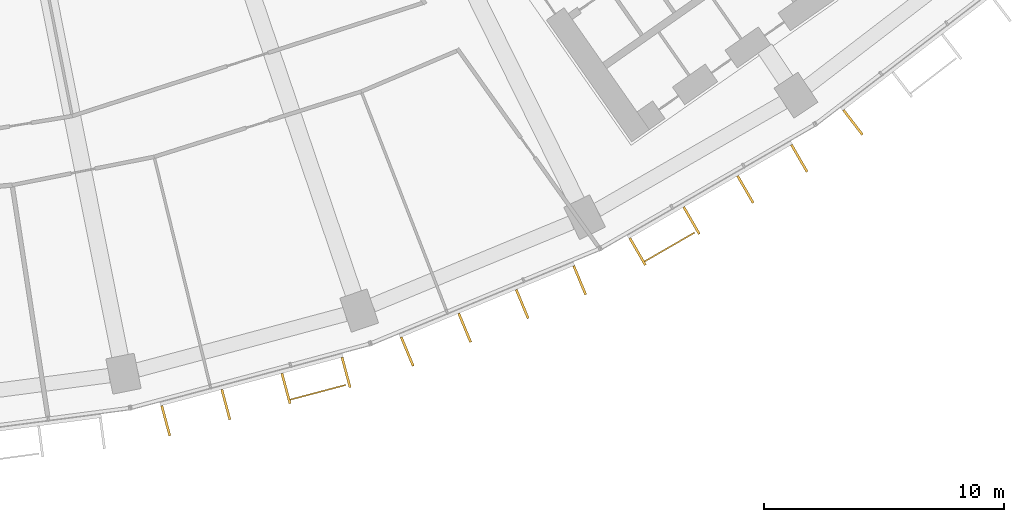
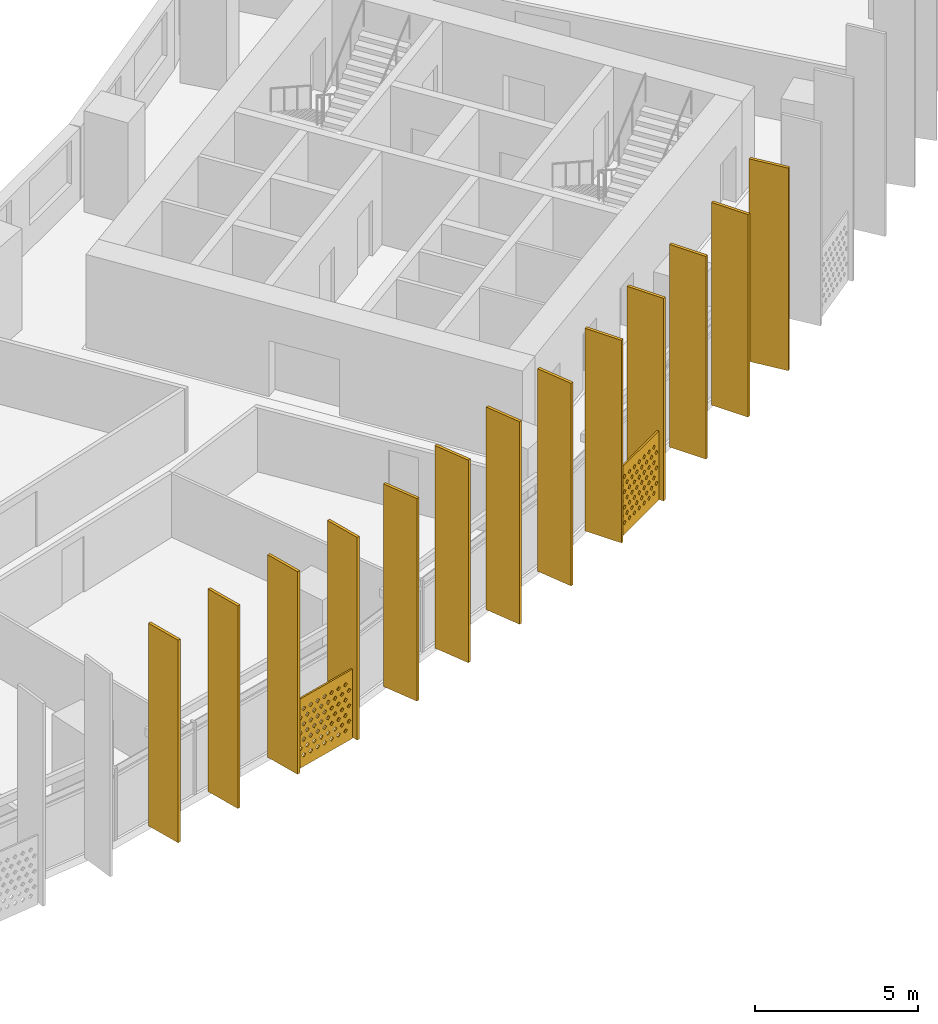
# One storey, part 28 of 30: 15 shading devices.
"""IFC4 building model written with IfcOpenShell, lengths in metres."""

from ifc_helpers import new_model, si_unit, direction, frame, origin, origin_2d, place, context, subcontext, project, spatial, polyline, rectangle, outline, extrude, material, material_profile, profile_set, type_object, element, save


model = new_model("IFC4")

# Units and contexts
model_context = context("Model", 3, precision=1e-05, world=origin(), true_north=direction((0.0, 1.0)))
body_context = subcontext(model_context, "Body", "Model", "MODEL_VIEW")
ifc_project = project(units=[si_unit("LENGTHUNIT", "METRE"), si_unit("AREAUNIT", "SQUARE_METRE"), si_unit("VOLUMEUNIT", "CUBIC_METRE"), si_unit("PLANEANGLEUNIT", "RADIAN"), si_unit("MASSUNIT", "GRAM", prefix="KILO")], contexts=[model_context])

# Site, building, storey
site_placement = place(None, origin())
site = spatial("IfcSite", under=ifc_project, at=site_placement, CompositionType="ELEMENT")
building_placement = place(site_placement, origin())
building = spatial("IfcBuilding", under=site, at=building_placement, Name="Qamariyya Broadcast Tower", CompositionType="ELEMENT")
storey_placement = place(building_placement, frame((0.0, 0.0, 110.10009765625)))
storey = spatial("IfcBuildingStorey", under=building, at=storey_placement, Name="L24", CompositionType="ELEMENT", Elevation=110.10009765625)

# Shading devices
ifc_material_1 = material(Name="Perforated glazed terracotta", Category="masonry")
ifc_material_profile_1 = material_profile(ifc_material_1, outline(polyline([(-1.199951171875, -1.300048828125), (1.199951171875, -1.300048828125), (1.199951171875, 1.300048828125), (-1.199951171875, 1.300048828125), (-1.199951171875, -1.300048828125)]), holes=[polyline([(-0.81494140625, -0.86669921875), (-0.89990234375, -0.78173828125), (-0.985107421875, -0.86669921875), (-0.89990234375, -0.95166015625), (-0.81494140625, -0.86669921875)]), polyline([(-0.514892578125, -0.86669921875), (-0.60009765625, -0.78173828125), (-0.68505859375, -0.86669921875), (-0.60009765625, -0.95166015625), (-0.514892578125, -0.86669921875)]), polyline([(-0.215087890625, -0.86669921875), (-0.300048828125, -0.78173828125), (-0.385009765625, -0.86669921875), (-0.300048828125, -0.95166015625), (-0.215087890625, -0.86669921875)]), polyline([(0.0849609375, -0.86669921875), (0.0, -0.78173828125), (-0.0849609375, -0.86669921875), (0.0, -0.95166015625), (0.0849609375, -0.86669921875)]), polyline([(0.385009765625, -0.86669921875), (0.300048828125, -0.78173828125), (0.215087890625, -0.86669921875), (0.300048828125, -0.95166015625), (0.385009765625, -0.86669921875)]), polyline([(0.68505859375, -0.86669921875), (0.60009765625, -0.78173828125), (0.514892578125, -0.86669921875), (0.60009765625, -0.95166015625), (0.68505859375, -0.86669921875)]), polyline([(0.985107421875, -0.86669921875), (0.89990234375, -0.78173828125), (0.81494140625, -0.86669921875), (0.89990234375, -0.95166015625), (0.985107421875, -0.86669921875)]), polyline([(-0.965087890625, -0.577880859375), (-1.050048828125, -0.49267578125), (-1.135009765625, -0.577880859375), (-1.050048828125, -0.662841796875), (-0.965087890625, -0.577880859375)]), polyline([(-0.6650390625, -0.577880859375), (-0.75, -0.49267578125), (-0.8349609375, -0.577880859375), (-0.75, -0.662841796875), (-0.6650390625, -0.577880859375)]), polyline([(-0.364990234375, -0.577880859375), (-0.449951171875, -0.49267578125), (-0.534912109375, -0.577880859375), (-0.449951171875, -0.662841796875), (-0.364990234375, -0.577880859375)]), polyline([(-0.06494140625, -0.577880859375), (-0.14990234375, -0.49267578125), (-0.235107421875, -0.577880859375), (-0.14990234375, -0.662841796875), (-0.06494140625, -0.577880859375)]), polyline([(0.235107421875, -0.577880859375), (0.14990234375, -0.49267578125), (0.06494140625, -0.577880859375), (0.14990234375, -0.662841796875), (0.235107421875, -0.577880859375)]), polyline([(0.534912109375, -0.577880859375), (0.449951171875, -0.49267578125), (0.364990234375, -0.577880859375), (0.449951171875, -0.662841796875), (0.534912109375, -0.577880859375)]), polyline([(0.8349609375, -0.577880859375), (0.75, -0.49267578125), (0.6650390625, -0.577880859375), (0.75, -0.662841796875), (0.8349609375, -0.577880859375)]), polyline([(1.135009765625, -0.577880859375), (1.050048828125, -0.49267578125), (0.965087890625, -0.577880859375), (1.050048828125, -0.662841796875), (1.135009765625, -0.577880859375)]), polyline([(-0.81494140625, -0.288818359375), (-0.89990234375, -0.203857421875), (-0.985107421875, -0.288818359375), (-0.89990234375, -0.373779296875), (-0.81494140625, -0.288818359375)]), polyline([(-0.514892578125, -0.288818359375), (-0.60009765625, -0.203857421875), (-0.68505859375, -0.288818359375), (-0.60009765625, -0.373779296875), (-0.514892578125, -0.288818359375)]), polyline([(-0.215087890625, -0.288818359375), (-0.300048828125, -0.203857421875), (-0.385009765625, -0.288818359375), (-0.300048828125, -0.373779296875), (-0.215087890625, -0.288818359375)]), polyline([(0.0849609375, -0.288818359375), (0.0, -0.203857421875), (-0.0849609375, -0.288818359375), (0.0, -0.373779296875), (0.0849609375, -0.288818359375)]), polyline([(0.385009765625, -0.288818359375), (0.300048828125, -0.203857421875), (0.215087890625, -0.288818359375), (0.300048828125, -0.373779296875), (0.385009765625, -0.288818359375)]), polyline([(0.68505859375, -0.288818359375), (0.60009765625, -0.203857421875), (0.514892578125, -0.288818359375), (0.60009765625, -0.373779296875), (0.68505859375, -0.288818359375)]), polyline([(0.985107421875, -0.288818359375), (0.89990234375, -0.203857421875), (0.81494140625, -0.288818359375), (0.89990234375, -0.373779296875), (0.985107421875, -0.288818359375)]), polyline([(-0.965087890625, 0.0), (-1.050048828125, 0.0849609375), (-1.135009765625, 0.0), (-1.050048828125, -0.0849609375), (-0.965087890625, 0.0)]), polyline([(-0.6650390625, 0.0), (-0.75, 0.0849609375), (-0.8349609375, 0.0), (-0.75, -0.0849609375), (-0.6650390625, 0.0)]), polyline([(-0.364990234375, 0.0), (-0.449951171875, 0.0849609375), (-0.534912109375, 0.0), (-0.449951171875, -0.0849609375), (-0.364990234375, 0.0)]), polyline([(-0.06494140625, 0.0), (-0.14990234375, 0.0849609375), (-0.235107421875, 0.0), (-0.14990234375, -0.0849609375), (-0.06494140625, 0.0)]), polyline([(0.235107421875, 0.0), (0.14990234375, 0.0849609375), (0.06494140625, 0.0), (0.14990234375, -0.0849609375), (0.235107421875, 0.0)]), polyline([(0.534912109375, 0.0), (0.449951171875, 0.0849609375), (0.364990234375, 0.0), (0.449951171875, -0.0849609375), (0.534912109375, 0.0)]), polyline([(0.8349609375, 0.0), (0.75, 0.0849609375), (0.6650390625, 0.0), (0.75, -0.0849609375), (0.8349609375, 0.0)]), polyline([(1.135009765625, 0.0), (1.050048828125, 0.0849609375), (0.965087890625, 0.0), (1.050048828125, -0.0849609375), (1.135009765625, 0.0)]), polyline([(-0.81494140625, 0.288818359375), (-0.89990234375, 0.373779296875), (-0.985107421875, 0.288818359375), (-0.89990234375, 0.203857421875), (-0.81494140625, 0.288818359375)]), polyline([(-0.514892578125, 0.288818359375), (-0.60009765625, 0.373779296875), (-0.68505859375, 0.288818359375), (-0.60009765625, 0.203857421875), (-0.514892578125, 0.288818359375)]), polyline([(-0.215087890625, 0.288818359375), (-0.300048828125, 0.373779296875), (-0.385009765625, 0.288818359375), (-0.300048828125, 0.203857421875), (-0.215087890625, 0.288818359375)]), polyline([(0.0849609375, 0.288818359375), (0.0, 0.373779296875), (-0.0849609375, 0.288818359375), (0.0, 0.203857421875), (0.0849609375, 0.288818359375)]), polyline([(0.385009765625, 0.288818359375), (0.300048828125, 0.373779296875), (0.215087890625, 0.288818359375), (0.300048828125, 0.203857421875), (0.385009765625, 0.288818359375)]), polyline([(0.68505859375, 0.288818359375), (0.60009765625, 0.373779296875), (0.514892578125, 0.288818359375), (0.60009765625, 0.203857421875), (0.68505859375, 0.288818359375)]), polyline([(0.985107421875, 0.288818359375), (0.89990234375, 0.373779296875), (0.81494140625, 0.288818359375), (0.89990234375, 0.203857421875), (0.985107421875, 0.288818359375)]), polyline([(-0.965087890625, 0.577880859375), (-1.050048828125, 0.662841796875), (-1.135009765625, 0.577880859375), (-1.050048828125, 0.49267578125), (-0.965087890625, 0.577880859375)]), polyline([(-0.6650390625, 0.577880859375), (-0.75, 0.662841796875), (-0.8349609375, 0.577880859375), (-0.75, 0.49267578125), (-0.6650390625, 0.577880859375)]), polyline([(-0.364990234375, 0.577880859375), (-0.449951171875, 0.662841796875), (-0.534912109375, 0.577880859375), (-0.449951171875, 0.49267578125), (-0.364990234375, 0.577880859375)]), polyline([(-0.06494140625, 0.577880859375), (-0.14990234375, 0.662841796875), (-0.235107421875, 0.577880859375), (-0.14990234375, 0.49267578125), (-0.06494140625, 0.577880859375)]), polyline([(0.235107421875, 0.577880859375), (0.14990234375, 0.662841796875), (0.06494140625, 0.577880859375), (0.14990234375, 0.49267578125), (0.235107421875, 0.577880859375)]), polyline([(0.534912109375, 0.577880859375), (0.449951171875, 0.662841796875), (0.364990234375, 0.577880859375), (0.449951171875, 0.49267578125), (0.534912109375, 0.577880859375)]), polyline([(0.8349609375, 0.577880859375), (0.75, 0.662841796875), (0.6650390625, 0.577880859375), (0.75, 0.49267578125), (0.8349609375, 0.577880859375)]), polyline([(1.135009765625, 0.577880859375), (1.050048828125, 0.662841796875), (0.965087890625, 0.577880859375), (1.050048828125, 0.49267578125), (1.135009765625, 0.577880859375)]), polyline([(-0.81494140625, 0.86669921875), (-0.89990234375, 0.95166015625), (-0.985107421875, 0.86669921875), (-0.89990234375, 0.78173828125), (-0.81494140625, 0.86669921875)]), polyline([(-0.514892578125, 0.86669921875), (-0.60009765625, 0.95166015625), (-0.68505859375, 0.86669921875), (-0.60009765625, 0.78173828125), (-0.514892578125, 0.86669921875)]), polyline([(-0.215087890625, 0.86669921875), (-0.300048828125, 0.95166015625), (-0.385009765625, 0.86669921875), (-0.300048828125, 0.78173828125), (-0.215087890625, 0.86669921875)]), polyline([(0.0849609375, 0.86669921875), (0.0, 0.95166015625), (-0.0849609375, 0.86669921875), (0.0, 0.78173828125), (0.0849609375, 0.86669921875)]), polyline([(0.385009765625, 0.86669921875), (0.300048828125, 0.95166015625), (0.215087890625, 0.86669921875), (0.300048828125, 0.78173828125), (0.385009765625, 0.86669921875)]), polyline([(0.68505859375, 0.86669921875), (0.60009765625, 0.95166015625), (0.514892578125, 0.86669921875), (0.60009765625, 0.78173828125), (0.68505859375, 0.86669921875)]), polyline([(0.985107421875, 0.86669921875), (0.89990234375, 0.95166015625), (0.81494140625, 0.86669921875), (0.89990234375, 0.78173828125), (0.985107421875, 0.86669921875)])]))
ifc_profile_set_1 = profile_set([ifc_material_profile_1], Name="Perforated glazed terracotta")
shading_device_type_1 = type_object("IfcShadingDeviceType", Name="Perforated terracotta screen 2400 x 2600", PredefinedType="USERDEFINED", material=ifc_profile_set_1)
shading_device_1_placement = place(storey_placement, frame((23.26904296875, -77.00146484375, 1.349853515625), z_axis=(0.255892560316, -0.966705227862, 0.0), x_axis=(0.966705227862, 0.255892560316, 0.0)))
element("IfcShadingDevice", 1, at=shading_device_1_placement, inside=storey, type_object=shading_device_type_1, Name="e-scr-L24-11-2", ObjectType="SCREEN", PredefinedType="USERDEFINED", context=body_context, shape_type="SweptSolid", body=[
    extrude(outline(polyline([(-1.199951171875, -1.300048828125), (1.199951171875, -1.300048828125), (1.199951171875, 1.300048828125), (-1.199951171875, 1.300048828125), (-1.199951171875, -1.300048828125)]), holes=[polyline([(-0.81494140625, -0.86669921875), (-0.89990234375, -0.78173828125), (-0.985107421875, -0.86669921875), (-0.89990234375, -0.95166015625), (-0.81494140625, -0.86669921875)]), polyline([(-0.514892578125, -0.86669921875), (-0.60009765625, -0.78173828125), (-0.68505859375, -0.86669921875), (-0.60009765625, -0.95166015625), (-0.514892578125, -0.86669921875)]), polyline([(-0.215087890625, -0.86669921875), (-0.300048828125, -0.78173828125), (-0.385009765625, -0.86669921875), (-0.300048828125, -0.95166015625), (-0.215087890625, -0.86669921875)]), polyline([(0.0849609375, -0.86669921875), (0.0, -0.78173828125), (-0.0849609375, -0.86669921875), (0.0, -0.95166015625), (0.0849609375, -0.86669921875)]), polyline([(0.385009765625, -0.86669921875), (0.300048828125, -0.78173828125), (0.215087890625, -0.86669921875), (0.300048828125, -0.95166015625), (0.385009765625, -0.86669921875)]), polyline([(0.68505859375, -0.86669921875), (0.60009765625, -0.78173828125), (0.514892578125, -0.86669921875), (0.60009765625, -0.95166015625), (0.68505859375, -0.86669921875)]), polyline([(0.985107421875, -0.86669921875), (0.89990234375, -0.78173828125), (0.81494140625, -0.86669921875), (0.89990234375, -0.95166015625), (0.985107421875, -0.86669921875)]), polyline([(-0.965087890625, -0.577880859375), (-1.050048828125, -0.49267578125), (-1.135009765625, -0.577880859375), (-1.050048828125, -0.662841796875), (-0.965087890625, -0.577880859375)]), polyline([(-0.6650390625, -0.577880859375), (-0.75, -0.49267578125), (-0.8349609375, -0.577880859375), (-0.75, -0.662841796875), (-0.6650390625, -0.577880859375)]), polyline([(-0.364990234375, -0.577880859375), (-0.449951171875, -0.49267578125), (-0.534912109375, -0.577880859375), (-0.449951171875, -0.662841796875), (-0.364990234375, -0.577880859375)]), polyline([(-0.06494140625, -0.577880859375), (-0.14990234375, -0.49267578125), (-0.235107421875, -0.577880859375), (-0.14990234375, -0.662841796875), (-0.06494140625, -0.577880859375)]), polyline([(0.235107421875, -0.577880859375), (0.14990234375, -0.49267578125), (0.06494140625, -0.577880859375), (0.14990234375, -0.662841796875), (0.235107421875, -0.577880859375)]), polyline([(0.534912109375, -0.577880859375), (0.449951171875, -0.49267578125), (0.364990234375, -0.577880859375), (0.449951171875, -0.662841796875), (0.534912109375, -0.577880859375)]), polyline([(0.8349609375, -0.577880859375), (0.75, -0.49267578125), (0.6650390625, -0.577880859375), (0.75, -0.662841796875), (0.8349609375, -0.577880859375)]), polyline([(1.135009765625, -0.577880859375), (1.050048828125, -0.49267578125), (0.965087890625, -0.577880859375), (1.050048828125, -0.662841796875), (1.135009765625, -0.577880859375)]), polyline([(-0.81494140625, -0.288818359375), (-0.89990234375, -0.203857421875), (-0.985107421875, -0.288818359375), (-0.89990234375, -0.373779296875), (-0.81494140625, -0.288818359375)]), polyline([(-0.514892578125, -0.288818359375), (-0.60009765625, -0.203857421875), (-0.68505859375, -0.288818359375), (-0.60009765625, -0.373779296875), (-0.514892578125, -0.288818359375)]), polyline([(-0.215087890625, -0.288818359375), (-0.300048828125, -0.203857421875), (-0.385009765625, -0.288818359375), (-0.300048828125, -0.373779296875), (-0.215087890625, -0.288818359375)]), polyline([(0.0849609375, -0.288818359375), (0.0, -0.203857421875), (-0.0849609375, -0.288818359375), (0.0, -0.373779296875), (0.0849609375, -0.288818359375)]), polyline([(0.385009765625, -0.288818359375), (0.300048828125, -0.203857421875), (0.215087890625, -0.288818359375), (0.300048828125, -0.373779296875), (0.385009765625, -0.288818359375)]), polyline([(0.68505859375, -0.288818359375), (0.60009765625, -0.203857421875), (0.514892578125, -0.288818359375), (0.60009765625, -0.373779296875), (0.68505859375, -0.288818359375)]), polyline([(0.985107421875, -0.288818359375), (0.89990234375, -0.203857421875), (0.81494140625, -0.288818359375), (0.89990234375, -0.373779296875), (0.985107421875, -0.288818359375)]), polyline([(-0.965087890625, 0.0), (-1.050048828125, 0.0849609375), (-1.135009765625, 0.0), (-1.050048828125, -0.0849609375), (-0.965087890625, 0.0)]), polyline([(-0.6650390625, 0.0), (-0.75, 0.0849609375), (-0.8349609375, 0.0), (-0.75, -0.0849609375), (-0.6650390625, 0.0)]), polyline([(-0.364990234375, 0.0), (-0.449951171875, 0.0849609375), (-0.534912109375, 0.0), (-0.449951171875, -0.0849609375), (-0.364990234375, 0.0)]), polyline([(-0.06494140625, 0.0), (-0.14990234375, 0.0849609375), (-0.235107421875, 0.0), (-0.14990234375, -0.0849609375), (-0.06494140625, 0.0)]), polyline([(0.235107421875, 0.0), (0.14990234375, 0.0849609375), (0.06494140625, 0.0), (0.14990234375, -0.0849609375), (0.235107421875, 0.0)]), polyline([(0.534912109375, 0.0), (0.449951171875, 0.0849609375), (0.364990234375, 0.0), (0.449951171875, -0.0849609375), (0.534912109375, 0.0)]), polyline([(0.8349609375, 0.0), (0.75, 0.0849609375), (0.6650390625, 0.0), (0.75, -0.0849609375), (0.8349609375, 0.0)]), polyline([(1.135009765625, 0.0), (1.050048828125, 0.0849609375), (0.965087890625, 0.0), (1.050048828125, -0.0849609375), (1.135009765625, 0.0)]), polyline([(-0.81494140625, 0.288818359375), (-0.89990234375, 0.373779296875), (-0.985107421875, 0.288818359375), (-0.89990234375, 0.203857421875), (-0.81494140625, 0.288818359375)]), polyline([(-0.514892578125, 0.288818359375), (-0.60009765625, 0.373779296875), (-0.68505859375, 0.288818359375), (-0.60009765625, 0.203857421875), (-0.514892578125, 0.288818359375)]), polyline([(-0.215087890625, 0.288818359375), (-0.300048828125, 0.373779296875), (-0.385009765625, 0.288818359375), (-0.300048828125, 0.203857421875), (-0.215087890625, 0.288818359375)]), polyline([(0.0849609375, 0.288818359375), (0.0, 0.373779296875), (-0.0849609375, 0.288818359375), (0.0, 0.203857421875), (0.0849609375, 0.288818359375)]), polyline([(0.385009765625, 0.288818359375), (0.300048828125, 0.373779296875), (0.215087890625, 0.288818359375), (0.300048828125, 0.203857421875), (0.385009765625, 0.288818359375)]), polyline([(0.68505859375, 0.288818359375), (0.60009765625, 0.373779296875), (0.514892578125, 0.288818359375), (0.60009765625, 0.203857421875), (0.68505859375, 0.288818359375)]), polyline([(0.985107421875, 0.288818359375), (0.89990234375, 0.373779296875), (0.81494140625, 0.288818359375), (0.89990234375, 0.203857421875), (0.985107421875, 0.288818359375)]), polyline([(-0.965087890625, 0.577880859375), (-1.050048828125, 0.662841796875), (-1.135009765625, 0.577880859375), (-1.050048828125, 0.49267578125), (-0.965087890625, 0.577880859375)]), polyline([(-0.6650390625, 0.577880859375), (-0.75, 0.662841796875), (-0.8349609375, 0.577880859375), (-0.75, 0.49267578125), (-0.6650390625, 0.577880859375)]), polyline([(-0.364990234375, 0.577880859375), (-0.449951171875, 0.662841796875), (-0.534912109375, 0.577880859375), (-0.449951171875, 0.49267578125), (-0.364990234375, 0.577880859375)]), polyline([(-0.06494140625, 0.577880859375), (-0.14990234375, 0.662841796875), (-0.235107421875, 0.577880859375), (-0.14990234375, 0.49267578125), (-0.06494140625, 0.577880859375)]), polyline([(0.235107421875, 0.577880859375), (0.14990234375, 0.662841796875), (0.06494140625, 0.577880859375), (0.14990234375, 0.49267578125), (0.235107421875, 0.577880859375)]), polyline([(0.534912109375, 0.577880859375), (0.449951171875, 0.662841796875), (0.364990234375, 0.577880859375), (0.449951171875, 0.49267578125), (0.534912109375, 0.577880859375)]), polyline([(0.8349609375, 0.577880859375), (0.75, 0.662841796875), (0.6650390625, 0.577880859375), (0.75, 0.49267578125), (0.8349609375, 0.577880859375)]), polyline([(1.135009765625, 0.577880859375), (1.050048828125, 0.662841796875), (0.965087890625, 0.577880859375), (1.050048828125, 0.49267578125), (1.135009765625, 0.577880859375)]), polyline([(-0.81494140625, 0.86669921875), (-0.89990234375, 0.95166015625), (-0.985107421875, 0.86669921875), (-0.89990234375, 0.78173828125), (-0.81494140625, 0.86669921875)]), polyline([(-0.514892578125, 0.86669921875), (-0.60009765625, 0.95166015625), (-0.68505859375, 0.86669921875), (-0.60009765625, 0.78173828125), (-0.514892578125, 0.86669921875)]), polyline([(-0.215087890625, 0.86669921875), (-0.300048828125, 0.95166015625), (-0.385009765625, 0.86669921875), (-0.300048828125, 0.78173828125), (-0.215087890625, 0.86669921875)]), polyline([(0.0849609375, 0.86669921875), (0.0, 0.95166015625), (-0.0849609375, 0.86669921875), (0.0, 0.78173828125), (0.0849609375, 0.86669921875)]), polyline([(0.385009765625, 0.86669921875), (0.300048828125, 0.95166015625), (0.215087890625, 0.86669921875), (0.300048828125, 0.78173828125), (0.385009765625, 0.86669921875)]), polyline([(0.68505859375, 0.86669921875), (0.60009765625, 0.95166015625), (0.514892578125, 0.86669921875), (0.60009765625, 0.78173828125), (0.68505859375, 0.86669921875)]), polyline([(0.985107421875, 0.86669921875), (0.89990234375, 0.95166015625), (0.81494140625, 0.86669921875), (0.89990234375, 0.78173828125), (0.985107421875, 0.86669921875)])]), origin(), (0.0, 0.0, 1.0), 0.06005859375),
])
shading_device_2_placement = place(storey_placement, frame((37.913818359375, -70.948486328125, 1.349853515625), z_axis=(0.500074377092, -0.865982457891, 0.0), x_axis=(0.865982457891, 0.500074377092, 0.0)))
element("IfcShadingDevice", 2, at=shading_device_2_placement, inside=storey, type_object=shading_device_type_1, Name="e-scr-L24-13-0", ObjectType="SCREEN", PredefinedType="USERDEFINED", context=body_context, shape_type="SweptSolid", body=[
    extrude(outline(polyline([(-1.199951171875, -1.300048828125), (1.199951171875, -1.300048828125), (1.199951171875, 1.300048828125), (-1.199951171875, 1.300048828125), (-1.199951171875, -1.300048828125)]), holes=[polyline([(-0.81494140625, -0.86669921875), (-0.89990234375, -0.78173828125), (-0.985107421875, -0.86669921875), (-0.89990234375, -0.95166015625), (-0.81494140625, -0.86669921875)]), polyline([(-0.514892578125, -0.86669921875), (-0.60009765625, -0.78173828125), (-0.68505859375, -0.86669921875), (-0.60009765625, -0.95166015625), (-0.514892578125, -0.86669921875)]), polyline([(-0.215087890625, -0.86669921875), (-0.300048828125, -0.78173828125), (-0.385009765625, -0.86669921875), (-0.300048828125, -0.95166015625), (-0.215087890625, -0.86669921875)]), polyline([(0.0849609375, -0.86669921875), (0.0, -0.78173828125), (-0.0849609375, -0.86669921875), (0.0, -0.95166015625), (0.0849609375, -0.86669921875)]), polyline([(0.385009765625, -0.86669921875), (0.300048828125, -0.78173828125), (0.215087890625, -0.86669921875), (0.300048828125, -0.95166015625), (0.385009765625, -0.86669921875)]), polyline([(0.68505859375, -0.86669921875), (0.60009765625, -0.78173828125), (0.514892578125, -0.86669921875), (0.60009765625, -0.95166015625), (0.68505859375, -0.86669921875)]), polyline([(0.985107421875, -0.86669921875), (0.89990234375, -0.78173828125), (0.81494140625, -0.86669921875), (0.89990234375, -0.95166015625), (0.985107421875, -0.86669921875)]), polyline([(-0.965087890625, -0.577880859375), (-1.050048828125, -0.49267578125), (-1.135009765625, -0.577880859375), (-1.050048828125, -0.662841796875), (-0.965087890625, -0.577880859375)]), polyline([(-0.6650390625, -0.577880859375), (-0.75, -0.49267578125), (-0.8349609375, -0.577880859375), (-0.75, -0.662841796875), (-0.6650390625, -0.577880859375)]), polyline([(-0.364990234375, -0.577880859375), (-0.449951171875, -0.49267578125), (-0.534912109375, -0.577880859375), (-0.449951171875, -0.662841796875), (-0.364990234375, -0.577880859375)]), polyline([(-0.06494140625, -0.577880859375), (-0.14990234375, -0.49267578125), (-0.235107421875, -0.577880859375), (-0.14990234375, -0.662841796875), (-0.06494140625, -0.577880859375)]), polyline([(0.235107421875, -0.577880859375), (0.14990234375, -0.49267578125), (0.06494140625, -0.577880859375), (0.14990234375, -0.662841796875), (0.235107421875, -0.577880859375)]), polyline([(0.534912109375, -0.577880859375), (0.449951171875, -0.49267578125), (0.364990234375, -0.577880859375), (0.449951171875, -0.662841796875), (0.534912109375, -0.577880859375)]), polyline([(0.8349609375, -0.577880859375), (0.75, -0.49267578125), (0.6650390625, -0.577880859375), (0.75, -0.662841796875), (0.8349609375, -0.577880859375)]), polyline([(1.135009765625, -0.577880859375), (1.050048828125, -0.49267578125), (0.965087890625, -0.577880859375), (1.050048828125, -0.662841796875), (1.135009765625, -0.577880859375)]), polyline([(-0.81494140625, -0.288818359375), (-0.89990234375, -0.203857421875), (-0.985107421875, -0.288818359375), (-0.89990234375, -0.373779296875), (-0.81494140625, -0.288818359375)]), polyline([(-0.514892578125, -0.288818359375), (-0.60009765625, -0.203857421875), (-0.68505859375, -0.288818359375), (-0.60009765625, -0.373779296875), (-0.514892578125, -0.288818359375)]), polyline([(-0.215087890625, -0.288818359375), (-0.300048828125, -0.203857421875), (-0.385009765625, -0.288818359375), (-0.300048828125, -0.373779296875), (-0.215087890625, -0.288818359375)]), polyline([(0.0849609375, -0.288818359375), (0.0, -0.203857421875), (-0.0849609375, -0.288818359375), (0.0, -0.373779296875), (0.0849609375, -0.288818359375)]), polyline([(0.385009765625, -0.288818359375), (0.300048828125, -0.203857421875), (0.215087890625, -0.288818359375), (0.300048828125, -0.373779296875), (0.385009765625, -0.288818359375)]), polyline([(0.68505859375, -0.288818359375), (0.60009765625, -0.203857421875), (0.514892578125, -0.288818359375), (0.60009765625, -0.373779296875), (0.68505859375, -0.288818359375)]), polyline([(0.985107421875, -0.288818359375), (0.89990234375, -0.203857421875), (0.81494140625, -0.288818359375), (0.89990234375, -0.373779296875), (0.985107421875, -0.288818359375)]), polyline([(-0.965087890625, 0.0), (-1.050048828125, 0.0849609375), (-1.135009765625, 0.0), (-1.050048828125, -0.0849609375), (-0.965087890625, 0.0)]), polyline([(-0.6650390625, 0.0), (-0.75, 0.0849609375), (-0.8349609375, 0.0), (-0.75, -0.0849609375), (-0.6650390625, 0.0)]), polyline([(-0.364990234375, 0.0), (-0.449951171875, 0.0849609375), (-0.534912109375, 0.0), (-0.449951171875, -0.0849609375), (-0.364990234375, 0.0)]), polyline([(-0.06494140625, 0.0), (-0.14990234375, 0.0849609375), (-0.235107421875, 0.0), (-0.14990234375, -0.0849609375), (-0.06494140625, 0.0)]), polyline([(0.235107421875, 0.0), (0.14990234375, 0.0849609375), (0.06494140625, 0.0), (0.14990234375, -0.0849609375), (0.235107421875, 0.0)]), polyline([(0.534912109375, 0.0), (0.449951171875, 0.0849609375), (0.364990234375, 0.0), (0.449951171875, -0.0849609375), (0.534912109375, 0.0)]), polyline([(0.8349609375, 0.0), (0.75, 0.0849609375), (0.6650390625, 0.0), (0.75, -0.0849609375), (0.8349609375, 0.0)]), polyline([(1.135009765625, 0.0), (1.050048828125, 0.0849609375), (0.965087890625, 0.0), (1.050048828125, -0.0849609375), (1.135009765625, 0.0)]), polyline([(-0.81494140625, 0.288818359375), (-0.89990234375, 0.373779296875), (-0.985107421875, 0.288818359375), (-0.89990234375, 0.203857421875), (-0.81494140625, 0.288818359375)]), polyline([(-0.514892578125, 0.288818359375), (-0.60009765625, 0.373779296875), (-0.68505859375, 0.288818359375), (-0.60009765625, 0.203857421875), (-0.514892578125, 0.288818359375)]), polyline([(-0.215087890625, 0.288818359375), (-0.300048828125, 0.373779296875), (-0.385009765625, 0.288818359375), (-0.300048828125, 0.203857421875), (-0.215087890625, 0.288818359375)]), polyline([(0.0849609375, 0.288818359375), (0.0, 0.373779296875), (-0.0849609375, 0.288818359375), (0.0, 0.203857421875), (0.0849609375, 0.288818359375)]), polyline([(0.385009765625, 0.288818359375), (0.300048828125, 0.373779296875), (0.215087890625, 0.288818359375), (0.300048828125, 0.203857421875), (0.385009765625, 0.288818359375)]), polyline([(0.68505859375, 0.288818359375), (0.60009765625, 0.373779296875), (0.514892578125, 0.288818359375), (0.60009765625, 0.203857421875), (0.68505859375, 0.288818359375)]), polyline([(0.985107421875, 0.288818359375), (0.89990234375, 0.373779296875), (0.81494140625, 0.288818359375), (0.89990234375, 0.203857421875), (0.985107421875, 0.288818359375)]), polyline([(-0.965087890625, 0.577880859375), (-1.050048828125, 0.662841796875), (-1.135009765625, 0.577880859375), (-1.050048828125, 0.49267578125), (-0.965087890625, 0.577880859375)]), polyline([(-0.6650390625, 0.577880859375), (-0.75, 0.662841796875), (-0.8349609375, 0.577880859375), (-0.75, 0.49267578125), (-0.6650390625, 0.577880859375)]), polyline([(-0.364990234375, 0.577880859375), (-0.449951171875, 0.662841796875), (-0.534912109375, 0.577880859375), (-0.449951171875, 0.49267578125), (-0.364990234375, 0.577880859375)]), polyline([(-0.06494140625, 0.577880859375), (-0.14990234375, 0.662841796875), (-0.235107421875, 0.577880859375), (-0.14990234375, 0.49267578125), (-0.06494140625, 0.577880859375)]), polyline([(0.235107421875, 0.577880859375), (0.14990234375, 0.662841796875), (0.06494140625, 0.577880859375), (0.14990234375, 0.49267578125), (0.235107421875, 0.577880859375)]), polyline([(0.534912109375, 0.577880859375), (0.449951171875, 0.662841796875), (0.364990234375, 0.577880859375), (0.449951171875, 0.49267578125), (0.534912109375, 0.577880859375)]), polyline([(0.8349609375, 0.577880859375), (0.75, 0.662841796875), (0.6650390625, 0.577880859375), (0.75, 0.49267578125), (0.8349609375, 0.577880859375)]), polyline([(1.135009765625, 0.577880859375), (1.050048828125, 0.662841796875), (0.965087890625, 0.577880859375), (1.050048828125, 0.49267578125), (1.135009765625, 0.577880859375)]), polyline([(-0.81494140625, 0.86669921875), (-0.89990234375, 0.95166015625), (-0.985107421875, 0.86669921875), (-0.89990234375, 0.78173828125), (-0.81494140625, 0.86669921875)]), polyline([(-0.514892578125, 0.86669921875), (-0.60009765625, 0.95166015625), (-0.68505859375, 0.86669921875), (-0.60009765625, 0.78173828125), (-0.514892578125, 0.86669921875)]), polyline([(-0.215087890625, 0.86669921875), (-0.300048828125, 0.95166015625), (-0.385009765625, 0.86669921875), (-0.300048828125, 0.78173828125), (-0.215087890625, 0.86669921875)]), polyline([(0.0849609375, 0.86669921875), (0.0, 0.95166015625), (-0.0849609375, 0.86669921875), (0.0, 0.78173828125), (0.0849609375, 0.86669921875)]), polyline([(0.385009765625, 0.86669921875), (0.300048828125, 0.95166015625), (0.215087890625, 0.86669921875), (0.300048828125, 0.78173828125), (0.385009765625, 0.86669921875)]), polyline([(0.68505859375, 0.86669921875), (0.60009765625, 0.95166015625), (0.514892578125, 0.86669921875), (0.60009765625, 0.78173828125), (0.68505859375, 0.86669921875)]), polyline([(0.985107421875, 0.86669921875), (0.89990234375, 0.95166015625), (0.81494140625, 0.86669921875), (0.89990234375, 0.78173828125), (0.985107421875, 0.86669921875)])]), origin(), (0.0, 0.0, 1.0), 0.06005859375),
])
ifc_material_2 = material(Name="Glazed terracotta", Category="masonry")
ifc_material_profile_2 = material_profile(ifc_material_2, rectangle(XDim=1.300048828125, YDim=0.10009765625, at=origin_2d()))
ifc_profile_set_2 = profile_set([ifc_material_profile_2], Name="Glazed terracotta")
shading_device_type_2 = type_object("IfcShadingDeviceType", Name="Terracotta fin 100 x 1300", PredefinedType="USERDEFINED", material=ifc_profile_set_2)
for number, where, z_axis, x_axis, name in (
    (3, (16.93017578125, -78.21337890625, 0.0), (0.0, 0.0, 1.0), (0.258819045103, -0.965925826289, 0.0), "e-fin-L24-11-0"),
    (4, (19.43505859375, -77.542236328125, 0.0), (0.0, 0.0, 1.0), (0.258819045103, -0.965925826289, 0.0), "e-fin-L24-11-1"),
    (5, (21.93994140625, -76.87109375, 0.0), (0.0, 0.0, 1.0), (0.258819045103, -0.965925826289, 0.0), "e-fin-L24-11-2"),
    (6, (24.44482421875, -76.199951171875, 0.0), (0.0, 0.0, 1.0), (0.258819045103, -0.965925826289, 0.0), "e-fin-L24-11-3"),
    (7, (26.994140625, -75.33447265625, 0.0), (0.0, 0.0, 1.0), (0.382683432365, -0.923879532511, 0.0), "e-fin-L24-12-0"),
    (8, (29.39013671875, -74.342041015625, 0.0), (0.0, 0.0, 1.0), (0.382683432365, -0.923879532511, 0.0), "e-fin-L24-12-1"),
    (9, (31.785888671875, -73.349609375, 0.0), (0.0, 0.0, 1.0), (0.382683432365, -0.923879532511, 0.0), "e-fin-L24-12-2"),
    (10, (34.181640625, -72.357421875, 0.0), (0.0, 0.0, 1.0), (0.382683432365, -0.923879532511, 0.0), "e-fin-L24-12-3"),
    (11, (36.596435546875, -71.16650390625, 0.0), (0.0, 0.0, 1.0), (0.5, -0.866025403784, 0.0), "e-fin-L24-13-0"),
    (12, (38.84228515625, -69.869873046875, 0.0), (0.0, 0.0, 1.0), (0.5, -0.866025403784, 0.0), "e-fin-L24-13-1"),
    (13, (41.087890625, -68.5732421875, 0.0), (0.0, 0.0, 1.0), (0.5, -0.866025403784, 0.0), "e-fin-L24-13-2"),
    (14, (43.333740234375, -67.276611328125, 0.0), (0.0, 0.0, 1.0), (0.5, -0.866025403784, 0.0), "e-fin-L24-13-3"),
    (15, (45.572509765625, -65.781005859375, 0.0), (0.0, 0.0, 1.0), (0.608761429009, -0.793353340291, 0.0), "e-fin-L24-14-0"),
):
    element("IfcShadingDevice", number, at=place(storey_placement, frame(where, z_axis=z_axis, x_axis=x_axis)), inside=storey, type_object=shading_device_type_2, Name=name, ObjectType="FIN", PredefinedType="USERDEFINED", context=body_context, shape_type="SweptSolid", body=[
        extrude(rectangle(XDim=1.300048828125, YDim=0.10009765625, at=origin_2d()), origin(), (0.0, 0.0, 1.0), 7.599853515625),
    ])

save(model, "model.ifc")
